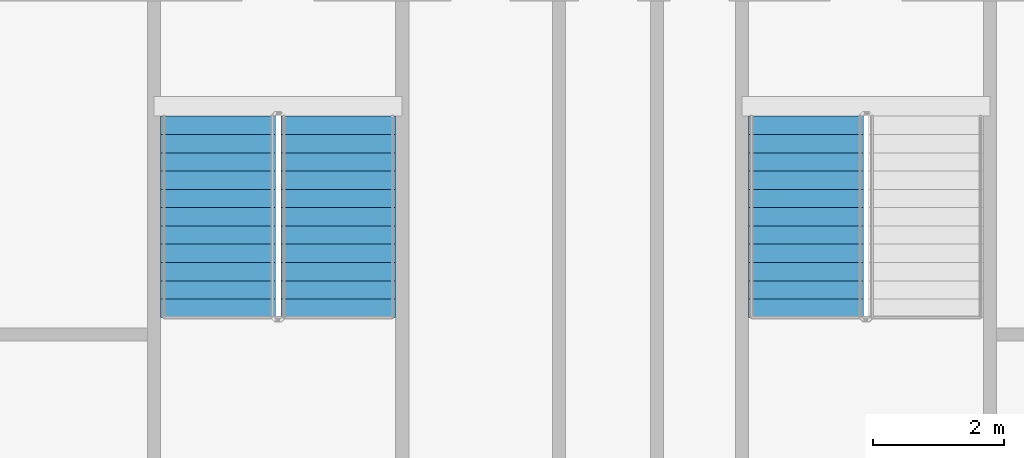
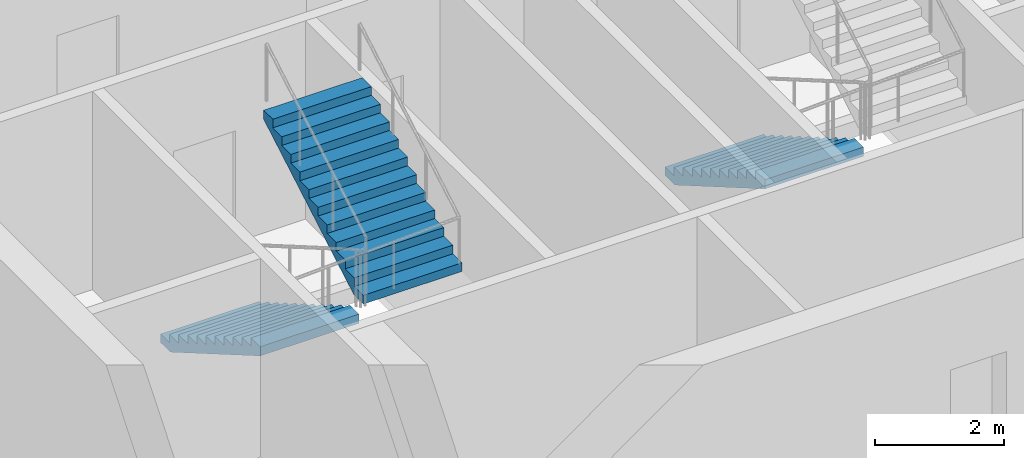
# One storey, part 8 of 15: 3 stair flights, 2 elements without a shape of their own.
"""IFC4 building model written with IfcOpenShell, lengths in metres."""

import ifcopenshell
import ifcopenshell.guid

model = None  # the IFC model being written
_history = None  # IfcOwnerHistory: only IFC2X3 demands one
_inside = {}  # id of a spatial element -> (the spatial element, [elements in it])
_under = {}  # id of a project, library or spatial element -> (it, [spatial elements below it])
_declared = {}  # id of a project -> (the project, [libraries it declares])
_typed = {}  # id of a type object -> (the type object, [elements of that type])
_made_of = {}  # id of a material, layer set ... -> (it, [elements and type objects made of it])


def new_model(schema):
    """Start an empty IFC model of exactly this schema.

    Asked for "IFC4X3", IfcOpenShell would pick the latest addendum, in which some entities
    have other attributes; the version numbers below select the first issue.
    IFC2X3 requires an IfcOwnerHistory on every rooted entity: one is made here for all.
    """
    global model, _history
    if schema == "IFC4X3":
        model = ifcopenshell.file(schema_version=(4, 3, 0, 0))
    else:
        model = ifcopenshell.file(schema=schema)
    _inside.clear()
    _under.clear()
    _declared.clear()
    _typed.clear()
    _made_of.clear()
    _history = None
    if model.schema == "IFC2X3":
        org = make("IfcOrganization", Name="unknown")
        user = make(
            "IfcPersonAndOrganization",
            ThePerson=make("IfcPerson", FamilyName="unknown"),
            TheOrganization=org,
        )
        app = make(
            "IfcApplication",
            ApplicationDeveloper=org,
            Version="unknown",
            ApplicationFullName="unknown",
            ApplicationIdentifier="unknown",
        )
        _history = make(
            "IfcOwnerHistory",
            OwningUser=user,
            OwningApplication=app,
            ChangeAction="ADDED",
            CreationDate=0,
        )
    return model


def make(cls, **values):
    """One entity of the class cls with the attributes given. An attribute that is None is left unset."""
    return model.create_entity(
        cls, **{name: value for name, value in values.items() if value is not None}
    )


def rooted(cls, **values):
    """An entity with a GlobalId (a new one), such as an element, a storey or a relation."""
    return make(cls, GlobalId=ifcopenshell.guid.new(), OwnerHistory=_history, **values)


def si_unit(unit_type, name, prefix=None):
    """IfcSIUnit, for example si_unit("LENGTHUNIT", "METRE", prefix="MILLI")."""
    return make("IfcSIUnit", UnitType=unit_type, Prefix=prefix, Name=name)


def assignment(units):
    """IfcUnitAssignment: the units of a project."""
    return None if units is None else make("IfcUnitAssignment", Units=units)


def point(xyz):
    """IfcCartesianPoint."""
    return None if xyz is None else make("IfcCartesianPoint", Coordinates=xyz)


def direction(xyz):
    """IfcDirection."""
    return None if xyz is None else make("IfcDirection", DirectionRatios=xyz)


def frame(location, z_axis=None, x_axis=None):
    """IfcAxis2Placement3D, a coordinate frame: its origin and axes. An axis left out is left unset."""
    return make(
        "IfcAxis2Placement3D",
        Location=point(location),
        Axis=direction(z_axis),
        RefDirection=direction(x_axis),
    )


def origin():
    """The frame at (0, 0, 0) with its axes left unset."""
    return frame((0.0, 0.0, 0.0))


def place(relative_to, where):
    """IfcLocalPlacement: puts the frame where relative to a parent placement (None: the world)."""
    return make(
        "IfcLocalPlacement", PlacementRelTo=relative_to, RelativePlacement=where
    )


def context(
    kind, dimensions, precision=None, world=None, true_north=None, identifier=None
):
    """IfcGeometricRepresentationContext, for example the 3D "Model" context."""
    return make(
        "IfcGeometricRepresentationContext",
        ContextIdentifier=identifier,
        ContextType=kind,
        CoordinateSpaceDimension=dimensions,
        Precision=precision,
        WorldCoordinateSystem=world,
        TrueNorth=true_north,
    )


def subcontext(parent, identifier, kind, view, scale=None):
    """IfcGeometricRepresentationSubContext, for example "Body" below "Model"."""
    return make(
        "IfcGeometricRepresentationSubContext",
        ContextIdentifier=identifier,
        ContextType=kind,
        ParentContext=parent,
        TargetScale=scale,
        TargetView=view,
    )


def project(units=None, contexts=None):
    """IfcProject with its units and contexts."""
    return rooted(
        "IfcProject",
        Name="project",
        RepresentationContexts=contexts,
        UnitsInContext=assignment(units),
    )


def spatial(cls, under=None, at=None, **own):
    """A site, building, storey or space (cls), placed at a placement, below another one or the project."""
    s = rooted(cls, ObjectPlacement=at, **own)
    if under is not None:
        _under.setdefault(under.id(), (under, []))[1].append(s)
    return s


def faces_of(points, faces, orient=None, outer=None):
    """IfcFace entities. A face is a list of loops; a loop is a list of indices into points, from 0.

    orient and outer hold one flag for each loop. By default every Orientation is true, the
    first loop of a face is its IfcFaceOuterBound and the others are IfcFaceBound.
    """
    made = []
    for i, loops in enumerate(faces):
        bounds = []
        for j, loop in enumerate(loops):
            is_outer = j == 0 if outer is None else outer[i][j]
            bounds.append(
                make(
                    "IfcFaceOuterBound" if is_outer else "IfcFaceBound",
                    Bound=make("IfcPolyLoop", Polygon=[points[k] for k in loop]),
                    Orientation=True if orient is None else orient[i][j],
                )
            )
        made.append(make("IfcFace", Bounds=bounds))
    return made


def faceted_brep(points, faces, orient=None, outer=None, voids=None):
    """IfcFacetedBrep: a solid bounded by flat faces; with voids (closed shells), ...WithVoids."""
    shared = [point(p) for p in points]
    hull = make("IfcClosedShell", CfsFaces=faces_of(shared, faces, orient, outer))
    if voids is None:
        return make("IfcFacetedBrep", Outer=hull)
    return make(
        "IfcFacetedBrepWithVoids",
        Outer=hull,
        Voids=[
            make(cls, CfsFaces=faces_of(shared, fs, o, b)) for cls, fs, o, b in voids
        ],
    )


def shape(context_of_items, identifier, shape_type, items):
    """IfcShapeRepresentation: the items that make up one representation, for example the "Body"."""
    return make(
        "IfcShapeRepresentation",
        ContextOfItems=context_of_items,
        RepresentationIdentifier=identifier,
        RepresentationType=shape_type,
        Items=items,
    )


def material(Name=None, Category=None):
    """IfcMaterial."""
    return make("IfcMaterial", Name=Name, Category=Category)


def made_of(thing, what):
    """Note that an element or type object is made of a material, layer set ...; save() writes the relation."""
    if what is not None:
        _made_of.setdefault(what.id(), (what, []))[1].append(thing)
    return thing


def type_object(cls, material=None, **own):
    """A type object (cls), such as IfcWallType, which elements share."""
    return made_of(rooted(cls, **own), material)


def element(
    cls,
    number,
    at=None,
    inside=None,
    cuts=None,
    type_object=None,
    material=None,
    context=None,
    identifier="Body",
    shape_type=None,
    held_by="IfcProductDefinitionShape",
    body=None,
    shapes=None,
    **own,
):
    """One element of the class cls, such as IfcWall. Its Tag is "e" and its number.

    at: its placement. inside: the storey or other place that contains it. cuts: it is an
    opening in that element (IfcRelVoidsElement). A single representation is given by context,
    identifier, shape_type and body (its items); several are given by shapes. held_by: the class
    of the entity that holds the representations. save() writes the other relations.
    """
    e = rooted(cls, Tag="e%d" % number, ObjectPlacement=at, **own)
    if body is not None:
        shapes = [shape(context, identifier, shape_type, body)]
    if shapes is not None:
        e.Representation = make(held_by, Representations=shapes)
    if inside is not None:
        _inside.setdefault(inside.id(), (inside, []))[1].append(e)
    if cuts is not None:
        rooted(
            "IfcRelVoidsElement", RelatingBuildingElement=cuts, RelatedOpeningElement=e
        )
    if type_object is not None:
        _typed.setdefault(type_object.id(), (type_object, []))[1].append(e)
    return made_of(e, material)


def aggregate(whole, parts):
    """IfcRelAggregates: a whole, such as a stair, and the parts it consists of."""
    return rooted("IfcRelAggregates", RelatingObject=whole, RelatedObjects=parts)


def save(model, path):
    """Write the relations noted so far, then the file.

    IfcRelAggregates (storeys below a building ...), IfcRelContainedInSpatialStructure (elements
    in a storey), IfcRelDefinesByType, IfcRelAssociatesMaterial and IfcRelDeclares: one each for
    every whole, place, type object, material and project.
    """
    for whole, parts in _under.values():
        aggregate(whole, parts)
    for where, things in _inside.values():
        rooted(
            "IfcRelContainedInSpatialStructure",
            RelatedElements=things,
            RelatingStructure=where,
        )
    for kind, things in _typed.values():
        rooted("IfcRelDefinesByType", RelatedObjects=things, RelatingType=kind)
    for what, things in _made_of.values():
        rooted("IfcRelAssociatesMaterial", RelatedObjects=things, RelatingMaterial=what)
    for by, libraries in _declared.values():
        rooted("IfcRelDeclares", RelatingContext=by, RelatedDefinitions=libraries)
    model.write(path)


model = new_model("IFC4")

# Units and contexts
model_context = context("Model", 3, precision=1e-05, world=origin(), true_north=direction((0.0, 1.0)))
body_context = subcontext(model_context, "Body", "Model", "MODEL_VIEW")
ifc_project = project(units=[si_unit("LENGTHUNIT", "METRE"), si_unit("AREAUNIT", "SQUARE_METRE"), si_unit("VOLUMEUNIT", "CUBIC_METRE"), si_unit("PLANEANGLEUNIT", "RADIAN"), si_unit("MASSUNIT", "GRAM", prefix="KILO")], contexts=[model_context])

# Site, building, storey
site_placement = place(None, origin())
site = spatial("IfcSite", under=ifc_project, at=site_placement, CompositionType="ELEMENT")
building_placement = place(site_placement, origin())
building = spatial("IfcBuilding", under=site, at=building_placement, Name="Tarsis Ring Headquarters", CompositionType="ELEMENT")
storey_placement = place(building_placement, frame((0.0, 0.0, 327.5)))
storey = spatial("IfcBuildingStorey", under=building, at=storey_placement, Name="L77", CompositionType="ELEMENT", Elevation=327.5)

# Stair, stair flights
ifc_material_1 = material(Name="Core stair 1760")
stair_type = type_object("IfcStairType", Name="Core stair 1760", PredefinedType="HALF_TURN_STAIR", material=ifc_material_1)
stair_1_placement = place(storey_placement, origin())
stair_1 = element("IfcStair", 1, at=stair_1_placement, inside=storey, type_object=stair_type, Name="L77 Exit stair C", PredefinedType="HALF_TURN_STAIR")
ifc_material_2 = material(Name="Concrete C40/50", Category="concrete")
stair_flight_type = type_object("IfcStairFlightType", Name="Core stair flight 1760", PredefinedType="STRAIGHT", material=ifc_material_2)
stair_flight_1_placement = place(storey_placement, frame((-5.419921875, -3.659912109375, 0.0), z_axis=(0.0, 0.0, 1.0), x_axis=(0.0, -1.0, 0.0)))
stair_flight_1 = element("IfcStairFlight", 2, at=stair_flight_1_placement, type_object=stair_flight_type, Name="Stair ST3 flight 1", NumberOfRisers=12, NumberOfTreads=11, PredefinedType="STRAIGHT", RiserHeight=0.1625, TreadLength=0.28, context=body_context, shape_type="Brep", body=[
    faceted_brep([(0.0, 0.8798828125, 0.0), (0.0, 0.8798828125, 0.16259765625), (0.280029296875, 0.8798828125, 0.16259765625), (0.280029296875, 0.8798828125, 0.324951171875), (0.56005859375, 0.8798828125, 0.324951171875), (0.56005859375, 0.8798828125, 0.487548828125), (0.840087890625, 0.8798828125, 0.487548828125), (0.840087890625, 0.8798828125, 0.64990234375), (1.1201171875, 0.8798828125, 0.64990234375), (1.1201171875, 0.8798828125, 0.8125), (1.39990234375, 0.8798828125, 0.8125), (1.39990234375, 0.8798828125, 0.97509765625), (1.679931640625, 0.8798828125, 0.97509765625), (1.679931640625, 0.8798828125, 1.137451171875), (1.9599609375, 0.8798828125, 1.137451171875), (1.9599609375, 0.8798828125, 1.300048828125), (2.239990234375, 0.8798828125, 1.300048828125), (2.239990234375, 0.8798828125, 1.46240234375), (2.52001953125, 0.8798828125, 1.46240234375), (2.52001953125, 0.8798828125, 1.625), (2.800048828125, 0.8798828125, 1.625), (2.800048828125, 0.8798828125, 1.78759765625), (3.080078125, 0.8798828125, 1.78759765625), (3.080078125, 0.8798828125, 1.6142578125), (0.298583984375, 0.8798828125, 0.0), (0.298583984375, -0.8798828125, 0.0), (3.080078125, -0.8798828125, 1.6142578125), (3.080078125, -0.8798828125, 1.78759765625), (2.800048828125, -0.8798828125, 1.78759765625), (2.800048828125, -0.8798828125, 1.625), (2.52001953125, -0.8798828125, 1.625), (2.52001953125, -0.8798828125, 1.46240234375), (2.239990234375, -0.8798828125, 1.46240234375), (2.239990234375, -0.8798828125, 1.300048828125), (1.9599609375, -0.8798828125, 1.300048828125), (1.9599609375, -0.8798828125, 1.137451171875), (1.679931640625, -0.8798828125, 1.137451171875), (1.679931640625, -0.8798828125, 0.97509765625), (1.39990234375, -0.8798828125, 0.97509765625), (1.39990234375, -0.8798828125, 0.8125), (1.1201171875, -0.8798828125, 0.8125), (1.1201171875, -0.8798828125, 0.64990234375), (0.840087890625, -0.8798828125, 0.64990234375), (0.840087890625, -0.8798828125, 0.487548828125), (0.56005859375, -0.8798828125, 0.487548828125), (0.56005859375, -0.8798828125, 0.324951171875), (0.280029296875, -0.8798828125, 0.324951171875), (0.280029296875, -0.8798828125, 0.16259765625), (0.0, -0.8798828125, 0.16259765625), (0.0, -0.8798828125, 0.0), (0.0, -0.43994140625, 0.16259765625), (0.0, -0.43994140625, 0.0), (0.0, 0.0, 0.16259765625), (0.0, 0.0, 0.0), (0.0, 0.43994140625, 0.16259765625), (0.0, 0.43994140625, 0.0), (0.280029296875, -0.43994140625, 0.16259765625), (0.280029296875, 0.0, 0.16259765625), (0.280029296875, 0.43994140625, 0.16259765625), (0.280029296875, -0.43994140625, 0.324951171875), (0.280029296875, 0.0, 0.324951171875), (0.280029296875, 0.43994140625, 0.324951171875), (0.56005859375, -0.43994140625, 0.324951171875), (0.56005859375, 0.0, 0.324951171875), (0.56005859375, 0.43994140625, 0.324951171875), (0.56005859375, -0.43994140625, 0.487548828125), (0.56005859375, 0.0, 0.487548828125), (0.56005859375, 0.43994140625, 0.487548828125), (0.840087890625, -0.43994140625, 0.487548828125), (0.840087890625, 0.0, 0.487548828125), (0.840087890625, 0.43994140625, 0.487548828125), (0.840087890625, -0.43994140625, 0.64990234375), (0.840087890625, 0.0, 0.64990234375), (0.840087890625, 0.43994140625, 0.64990234375), (1.1201171875, -0.43994140625, 0.64990234375), (1.1201171875, 0.0, 0.64990234375), (1.1201171875, 0.43994140625, 0.64990234375), (1.1201171875, -0.43994140625, 0.8125), (1.1201171875, 0.0, 0.8125), (1.1201171875, 0.43994140625, 0.8125), (1.39990234375, -0.43994140625, 0.8125), (1.39990234375, 0.0, 0.8125), (1.39990234375, 0.43994140625, 0.8125), (1.39990234375, -0.43994140625, 0.97509765625), (1.39990234375, 0.0, 0.97509765625), (1.39990234375, 0.43994140625, 0.97509765625), (1.679931640625, -0.43994140625, 0.97509765625), (1.679931640625, 0.0, 0.97509765625), (1.679931640625, 0.43994140625, 0.97509765625), (1.679931640625, -0.43994140625, 1.137451171875), (1.679931640625, 0.0, 1.137451171875), (1.679931640625, 0.43994140625, 1.137451171875), (1.9599609375, -0.43994140625, 1.137451171875), (1.9599609375, 0.0, 1.137451171875), (1.9599609375, 0.43994140625, 1.137451171875), (1.9599609375, -0.43994140625, 1.300048828125), (1.9599609375, 0.0, 1.300048828125), (1.9599609375, 0.43994140625, 1.300048828125), (2.239990234375, -0.43994140625, 1.300048828125), (2.239990234375, 0.0, 1.300048828125), (2.239990234375, 0.43994140625, 1.300048828125), (2.239990234375, -0.43994140625, 1.46240234375), (2.239990234375, 0.0, 1.46240234375), (2.239990234375, 0.43994140625, 1.46240234375), (2.52001953125, -0.43994140625, 1.46240234375), (2.52001953125, 0.0, 1.46240234375), (2.52001953125, 0.43994140625, 1.46240234375), (2.52001953125, -0.43994140625, 1.625), (2.52001953125, 0.0, 1.625), (2.52001953125, 0.43994140625, 1.625), (2.800048828125, -0.43994140625, 1.625), (2.800048828125, 0.0, 1.625), (2.800048828125, 0.43994140625, 1.625), (2.800048828125, -0.43994140625, 1.78759765625), (2.800048828125, 0.0, 1.78759765625), (2.800048828125, 0.43994140625, 1.78759765625), (3.080078125, -0.43994140625, 1.78759765625), (3.080078125, 0.0, 1.78759765625), (3.080078125, 0.43994140625, 1.78759765625), (3.080078125, -0.43994140625, 1.6142578125), (3.080078125, 0.0, 1.6142578125), (3.080078125, 0.43994140625, 1.6142578125), (0.298583984375, -0.43994140625, 0.0), (0.298583984375, 0.0, 0.0), (0.298583984375, 0.43994140625, 0.0)], [[[0, 1, 2, 3, 4, 5, 6, 7, 8, 9, 10, 11, 12, 13, 14, 15, 16, 17, 18, 19, 20, 21, 22, 23, 24]], [[25, 26, 27, 28, 29, 30, 31, 32, 33, 34, 35, 36, 37, 38, 39, 40, 41, 42, 43, 44, 45, 46, 47, 48, 49]], [[49, 48, 50, 51]], [[51, 50, 52, 53]], [[53, 52, 54, 55]], [[55, 54, 1, 0]], [[48, 47, 56, 50]], [[50, 56, 57, 52]], [[52, 57, 58, 54]], [[54, 58, 2, 1]], [[47, 46, 59, 56]], [[56, 59, 60, 57]], [[57, 60, 61, 58]], [[58, 61, 3, 2]], [[46, 45, 62, 59]], [[59, 62, 63, 60]], [[60, 63, 64, 61]], [[61, 64, 4, 3]], [[45, 44, 65, 62]], [[62, 65, 66, 63]], [[63, 66, 67, 64]], [[64, 67, 5, 4]], [[44, 43, 68, 65]], [[65, 68, 69, 66]], [[66, 69, 70, 67]], [[67, 70, 6, 5]], [[43, 42, 71, 68]], [[68, 71, 72, 69]], [[69, 72, 73, 70]], [[70, 73, 7, 6]], [[42, 41, 74, 71]], [[71, 74, 75, 72]], [[72, 75, 76, 73]], [[73, 76, 8, 7]], [[41, 40, 77, 74]], [[74, 77, 78, 75]], [[75, 78, 79, 76]], [[76, 79, 9, 8]], [[40, 39, 80, 77]], [[77, 80, 81, 78]], [[78, 81, 82, 79]], [[79, 82, 10, 9]], [[39, 38, 83, 80]], [[80, 83, 84, 81]], [[81, 84, 85, 82]], [[82, 85, 11, 10]], [[38, 37, 86, 83]], [[83, 86, 87, 84]], [[84, 87, 88, 85]], [[85, 88, 12, 11]], [[37, 36, 89, 86]], [[86, 89, 90, 87]], [[87, 90, 91, 88]], [[88, 91, 13, 12]], [[36, 35, 92, 89]], [[89, 92, 93, 90]], [[90, 93, 94, 91]], [[91, 94, 14, 13]], [[35, 34, 95, 92]], [[92, 95, 96, 93]], [[93, 96, 97, 94]], [[94, 97, 15, 14]], [[34, 33, 98, 95]], [[95, 98, 99, 96]], [[96, 99, 100, 97]], [[97, 100, 16, 15]], [[33, 32, 101, 98]], [[98, 101, 102, 99]], [[99, 102, 103, 100]], [[100, 103, 17, 16]], [[32, 31, 104, 101]], [[101, 104, 105, 102]], [[102, 105, 106, 103]], [[103, 106, 18, 17]], [[31, 30, 107, 104]], [[104, 107, 108, 105]], [[105, 108, 109, 106]], [[106, 109, 19, 18]], [[30, 29, 110, 107]], [[107, 110, 111, 108]], [[108, 111, 112, 109]], [[109, 112, 20, 19]], [[29, 28, 113, 110]], [[110, 113, 114, 111]], [[111, 114, 115, 112]], [[112, 115, 21, 20]], [[28, 27, 116, 113]], [[113, 116, 117, 114]], [[114, 117, 118, 115]], [[115, 118, 22, 21]], [[27, 26, 119, 116]], [[116, 119, 120, 117]], [[117, 120, 121, 118]], [[118, 121, 23, 22]], [[26, 25, 122, 119]], [[119, 122, 123, 120]], [[120, 123, 124, 121]], [[121, 124, 24, 23]], [[25, 49, 51, 122]], [[122, 51, 53, 123]], [[123, 53, 55, 124]], [[124, 55, 0, 24]]]),
])
stair_flight_2_placement = place(storey_placement, frame((-3.580078125, -6.739990234375, 1.949951171875), z_axis=(0.0, 0.0, 1.0), x_axis=(0.0, 1.0, 0.0)))
stair_flight_2 = element("IfcStairFlight", 3, at=stair_flight_2_placement, type_object=stair_flight_type, Name="Stair ST3 flight 2", NumberOfRisers=12, NumberOfTreads=11, PredefinedType="STRAIGHT", RiserHeight=0.1625, TreadLength=0.28, context=body_context, shape_type="Brep", body=[
    faceted_brep([(0.0, 0.8798828125, 0.0), (0.0, 0.8798828125, 0.16259765625), (0.280029296875, 0.8798828125, 0.16259765625), (0.280029296875, 0.8798828125, 0.324951171875), (0.56005859375, 0.8798828125, 0.324951171875), (0.56005859375, 0.8798828125, 0.487548828125), (0.840087890625, 0.8798828125, 0.487548828125), (0.840087890625, 0.8798828125, 0.64990234375), (1.1201171875, 0.8798828125, 0.64990234375), (1.1201171875, 0.8798828125, 0.8125), (1.39990234375, 0.8798828125, 0.8125), (1.39990234375, 0.8798828125, 0.97509765625), (1.679931640625, 0.8798828125, 0.97509765625), (1.679931640625, 0.8798828125, 1.137451171875), (1.9599609375, 0.8798828125, 1.137451171875), (1.9599609375, 0.8798828125, 1.300048828125), (2.239990234375, 0.8798828125, 1.300048828125), (2.239990234375, 0.8798828125, 1.46240234375), (2.52001953125, 0.8798828125, 1.46240234375), (2.52001953125, 0.8798828125, 1.625), (2.800048828125, 0.8798828125, 1.625), (2.800048828125, 0.8798828125, 1.78759765625), (3.080078125, 0.8798828125, 1.78759765625), (3.080078125, 0.8798828125, 1.6142578125), (0.298583984375, 0.8798828125, 0.0), (0.298583984375, -0.8798828125, 0.0), (3.080078125, -0.8798828125, 1.6142578125), (3.080078125, -0.8798828125, 1.78759765625), (2.800048828125, -0.8798828125, 1.78759765625), (2.800048828125, -0.8798828125, 1.625), (2.52001953125, -0.8798828125, 1.625), (2.52001953125, -0.8798828125, 1.46240234375), (2.239990234375, -0.8798828125, 1.46240234375), (2.239990234375, -0.8798828125, 1.300048828125), (1.9599609375, -0.8798828125, 1.300048828125), (1.9599609375, -0.8798828125, 1.137451171875), (1.679931640625, -0.8798828125, 1.137451171875), (1.679931640625, -0.8798828125, 0.97509765625), (1.39990234375, -0.8798828125, 0.97509765625), (1.39990234375, -0.8798828125, 0.8125), (1.1201171875, -0.8798828125, 0.8125), (1.1201171875, -0.8798828125, 0.64990234375), (0.840087890625, -0.8798828125, 0.64990234375), (0.840087890625, -0.8798828125, 0.487548828125), (0.56005859375, -0.8798828125, 0.487548828125), (0.56005859375, -0.8798828125, 0.324951171875), (0.280029296875, -0.8798828125, 0.324951171875), (0.280029296875, -0.8798828125, 0.16259765625), (0.0, -0.8798828125, 0.16259765625), (0.0, -0.8798828125, 0.0), (0.0, -0.43994140625, 0.16259765625), (0.0, -0.43994140625, 0.0), (0.0, 0.0, 0.16259765625), (0.0, 0.0, 0.0), (0.0, 0.43994140625, 0.16259765625), (0.0, 0.43994140625, 0.0), (0.280029296875, -0.43994140625, 0.16259765625), (0.280029296875, 0.0, 0.16259765625), (0.280029296875, 0.43994140625, 0.16259765625), (0.280029296875, -0.43994140625, 0.324951171875), (0.280029296875, 0.0, 0.324951171875), (0.280029296875, 0.43994140625, 0.324951171875), (0.56005859375, -0.43994140625, 0.324951171875), (0.56005859375, 0.0, 0.324951171875), (0.56005859375, 0.43994140625, 0.324951171875), (0.56005859375, -0.43994140625, 0.487548828125), (0.56005859375, 0.0, 0.487548828125), (0.56005859375, 0.43994140625, 0.487548828125), (0.840087890625, -0.43994140625, 0.487548828125), (0.840087890625, 0.0, 0.487548828125), (0.840087890625, 0.43994140625, 0.487548828125), (0.840087890625, -0.43994140625, 0.64990234375), (0.840087890625, 0.0, 0.64990234375), (0.840087890625, 0.43994140625, 0.64990234375), (1.1201171875, -0.43994140625, 0.64990234375), (1.1201171875, 0.0, 0.64990234375), (1.1201171875, 0.43994140625, 0.64990234375), (1.1201171875, -0.43994140625, 0.8125), (1.1201171875, 0.0, 0.8125), (1.1201171875, 0.43994140625, 0.8125), (1.39990234375, -0.43994140625, 0.8125), (1.39990234375, 0.0, 0.8125), (1.39990234375, 0.43994140625, 0.8125), (1.39990234375, -0.43994140625, 0.97509765625), (1.39990234375, 0.0, 0.97509765625), (1.39990234375, 0.43994140625, 0.97509765625), (1.679931640625, -0.43994140625, 0.97509765625), (1.679931640625, 0.0, 0.97509765625), (1.679931640625, 0.43994140625, 0.97509765625), (1.679931640625, -0.43994140625, 1.137451171875), (1.679931640625, 0.0, 1.137451171875), (1.679931640625, 0.43994140625, 1.137451171875), (1.9599609375, -0.43994140625, 1.137451171875), (1.9599609375, 0.0, 1.137451171875), (1.9599609375, 0.43994140625, 1.137451171875), (1.9599609375, -0.43994140625, 1.300048828125), (1.9599609375, 0.0, 1.300048828125), (1.9599609375, 0.43994140625, 1.300048828125), (2.239990234375, -0.43994140625, 1.300048828125), (2.239990234375, 0.0, 1.300048828125), (2.239990234375, 0.43994140625, 1.300048828125), (2.239990234375, -0.43994140625, 1.46240234375), (2.239990234375, 0.0, 1.46240234375), (2.239990234375, 0.43994140625, 1.46240234375), (2.52001953125, -0.43994140625, 1.46240234375), (2.52001953125, 0.0, 1.46240234375), (2.52001953125, 0.43994140625, 1.46240234375), (2.52001953125, -0.43994140625, 1.625), (2.52001953125, 0.0, 1.625), (2.52001953125, 0.43994140625, 1.625), (2.800048828125, -0.43994140625, 1.625), (2.800048828125, 0.0, 1.625), (2.800048828125, 0.43994140625, 1.625), (2.800048828125, -0.43994140625, 1.78759765625), (2.800048828125, 0.0, 1.78759765625), (2.800048828125, 0.43994140625, 1.78759765625), (3.080078125, -0.43994140625, 1.78759765625), (3.080078125, 0.0, 1.78759765625), (3.080078125, 0.43994140625, 1.78759765625), (3.080078125, -0.43994140625, 1.6142578125), (3.080078125, 0.0, 1.6142578125), (3.080078125, 0.43994140625, 1.6142578125), (0.298583984375, -0.43994140625, 0.0), (0.298583984375, 0.0, 0.0), (0.298583984375, 0.43994140625, 0.0)], [[[0, 1, 2, 3, 4, 5, 6, 7, 8, 9, 10, 11, 12, 13, 14, 15, 16, 17, 18, 19, 20, 21, 22, 23, 24]], [[25, 26, 27, 28, 29, 30, 31, 32, 33, 34, 35, 36, 37, 38, 39, 40, 41, 42, 43, 44, 45, 46, 47, 48, 49]], [[49, 48, 50, 51]], [[51, 50, 52, 53]], [[53, 52, 54, 55]], [[55, 54, 1, 0]], [[48, 47, 56, 50]], [[50, 56, 57, 52]], [[52, 57, 58, 54]], [[54, 58, 2, 1]], [[47, 46, 59, 56]], [[56, 59, 60, 57]], [[57, 60, 61, 58]], [[58, 61, 3, 2]], [[46, 45, 62, 59]], [[59, 62, 63, 60]], [[60, 63, 64, 61]], [[61, 64, 4, 3]], [[45, 44, 65, 62]], [[62, 65, 66, 63]], [[63, 66, 67, 64]], [[64, 67, 5, 4]], [[44, 43, 68, 65]], [[65, 68, 69, 66]], [[66, 69, 70, 67]], [[67, 70, 6, 5]], [[43, 42, 71, 68]], [[68, 71, 72, 69]], [[69, 72, 73, 70]], [[70, 73, 7, 6]], [[42, 41, 74, 71]], [[71, 74, 75, 72]], [[72, 75, 76, 73]], [[73, 76, 8, 7]], [[41, 40, 77, 74]], [[74, 77, 78, 75]], [[75, 78, 79, 76]], [[76, 79, 9, 8]], [[40, 39, 80, 77]], [[77, 80, 81, 78]], [[78, 81, 82, 79]], [[79, 82, 10, 9]], [[39, 38, 83, 80]], [[80, 83, 84, 81]], [[81, 84, 85, 82]], [[82, 85, 11, 10]], [[38, 37, 86, 83]], [[83, 86, 87, 84]], [[84, 87, 88, 85]], [[85, 88, 12, 11]], [[37, 36, 89, 86]], [[86, 89, 90, 87]], [[87, 90, 91, 88]], [[88, 91, 13, 12]], [[36, 35, 92, 89]], [[89, 92, 93, 90]], [[90, 93, 94, 91]], [[91, 94, 14, 13]], [[35, 34, 95, 92]], [[92, 95, 96, 93]], [[93, 96, 97, 94]], [[94, 97, 15, 14]], [[34, 33, 98, 95]], [[95, 98, 99, 96]], [[96, 99, 100, 97]], [[97, 100, 16, 15]], [[33, 32, 101, 98]], [[98, 101, 102, 99]], [[99, 102, 103, 100]], [[100, 103, 17, 16]], [[32, 31, 104, 101]], [[101, 104, 105, 102]], [[102, 105, 106, 103]], [[103, 106, 18, 17]], [[31, 30, 107, 104]], [[104, 107, 108, 105]], [[105, 108, 109, 106]], [[106, 109, 19, 18]], [[30, 29, 110, 107]], [[107, 110, 111, 108]], [[108, 111, 112, 109]], [[109, 112, 20, 19]], [[29, 28, 113, 110]], [[110, 113, 114, 111]], [[111, 114, 115, 112]], [[112, 115, 21, 20]], [[28, 27, 116, 113]], [[113, 116, 117, 114]], [[114, 117, 118, 115]], [[115, 118, 22, 21]], [[27, 26, 119, 116]], [[116, 119, 120, 117]], [[117, 120, 121, 118]], [[118, 121, 23, 22]], [[26, 25, 122, 119]], [[119, 122, 123, 120]], [[120, 123, 124, 121]], [[121, 124, 24, 23]], [[25, 49, 51, 122]], [[122, 51, 53, 123]], [[123, 53, 55, 124]], [[124, 55, 0, 24]]]),
])
aggregate(stair_1, [stair_flight_1, stair_flight_2])

# Stair, stair flight
stair_2_placement = place(storey_placement, origin())
stair_2 = element("IfcStair", 4, at=stair_2_placement, inside=storey, type_object=stair_type, Name="L77 Exit stair D", PredefinedType="HALF_TURN_STAIR")
stair_flight_3_placement = place(storey_placement, frame((3.580078125, -3.659912109375, 0.0), z_axis=(0.0, 0.0, 1.0), x_axis=(0.0, -1.0, 0.0)))
stair_flight_3 = element("IfcStairFlight", 5, at=stair_flight_3_placement, type_object=stair_flight_type, Name="Stair ST4 flight 1", NumberOfRisers=12, NumberOfTreads=11, PredefinedType="STRAIGHT", RiserHeight=0.1625, TreadLength=0.28, context=body_context, shape_type="Brep", body=[
    faceted_brep([(0.0, 0.8798828125, 0.0), (0.0, 0.8798828125, 0.16259765625), (0.280029296875, 0.8798828125, 0.16259765625), (0.280029296875, 0.8798828125, 0.324951171875), (0.56005859375, 0.8798828125, 0.324951171875), (0.56005859375, 0.8798828125, 0.487548828125), (0.840087890625, 0.8798828125, 0.487548828125), (0.840087890625, 0.8798828125, 0.64990234375), (1.1201171875, 0.8798828125, 0.64990234375), (1.1201171875, 0.8798828125, 0.8125), (1.39990234375, 0.8798828125, 0.8125), (1.39990234375, 0.8798828125, 0.97509765625), (1.679931640625, 0.8798828125, 0.97509765625), (1.679931640625, 0.8798828125, 1.137451171875), (1.9599609375, 0.8798828125, 1.137451171875), (1.9599609375, 0.8798828125, 1.300048828125), (2.239990234375, 0.8798828125, 1.300048828125), (2.239990234375, 0.8798828125, 1.46240234375), (2.52001953125, 0.8798828125, 1.46240234375), (2.52001953125, 0.8798828125, 1.625), (2.800048828125, 0.8798828125, 1.625), (2.800048828125, 0.8798828125, 1.78759765625), (3.080078125, 0.8798828125, 1.78759765625), (3.080078125, 0.8798828125, 1.6142578125), (0.298583984375, 0.8798828125, 0.0), (0.298583984375, -0.8798828125, 0.0), (3.080078125, -0.8798828125, 1.6142578125), (3.080078125, -0.8798828125, 1.78759765625), (2.800048828125, -0.8798828125, 1.78759765625), (2.800048828125, -0.8798828125, 1.625), (2.52001953125, -0.8798828125, 1.625), (2.52001953125, -0.8798828125, 1.46240234375), (2.239990234375, -0.8798828125, 1.46240234375), (2.239990234375, -0.8798828125, 1.300048828125), (1.9599609375, -0.8798828125, 1.300048828125), (1.9599609375, -0.8798828125, 1.137451171875), (1.679931640625, -0.8798828125, 1.137451171875), (1.679931640625, -0.8798828125, 0.97509765625), (1.39990234375, -0.8798828125, 0.97509765625), (1.39990234375, -0.8798828125, 0.8125), (1.1201171875, -0.8798828125, 0.8125), (1.1201171875, -0.8798828125, 0.64990234375), (0.840087890625, -0.8798828125, 0.64990234375), (0.840087890625, -0.8798828125, 0.487548828125), (0.56005859375, -0.8798828125, 0.487548828125), (0.56005859375, -0.8798828125, 0.324951171875), (0.280029296875, -0.8798828125, 0.324951171875), (0.280029296875, -0.8798828125, 0.16259765625), (0.0, -0.8798828125, 0.16259765625), (0.0, -0.8798828125, 0.0), (0.0, -0.43994140625, 0.16259765625), (0.0, -0.43994140625, 0.0), (0.0, 0.0, 0.16259765625), (0.0, 0.0, 0.0), (0.0, 0.43994140625, 0.16259765625), (0.0, 0.43994140625, 0.0), (0.280029296875, -0.43994140625, 0.16259765625), (0.280029296875, 0.0, 0.16259765625), (0.280029296875, 0.43994140625, 0.16259765625), (0.280029296875, -0.43994140625, 0.324951171875), (0.280029296875, 0.0, 0.324951171875), (0.280029296875, 0.43994140625, 0.324951171875), (0.56005859375, -0.43994140625, 0.324951171875), (0.56005859375, 0.0, 0.324951171875), (0.56005859375, 0.43994140625, 0.324951171875), (0.56005859375, -0.43994140625, 0.487548828125), (0.56005859375, 0.0, 0.487548828125), (0.56005859375, 0.43994140625, 0.487548828125), (0.840087890625, -0.43994140625, 0.487548828125), (0.840087890625, 0.0, 0.487548828125), (0.840087890625, 0.43994140625, 0.487548828125), (0.840087890625, -0.43994140625, 0.64990234375), (0.840087890625, 0.0, 0.64990234375), (0.840087890625, 0.43994140625, 0.64990234375), (1.1201171875, -0.43994140625, 0.64990234375), (1.1201171875, 0.0, 0.64990234375), (1.1201171875, 0.43994140625, 0.64990234375), (1.1201171875, -0.43994140625, 0.8125), (1.1201171875, 0.0, 0.8125), (1.1201171875, 0.43994140625, 0.8125), (1.39990234375, -0.43994140625, 0.8125), (1.39990234375, 0.0, 0.8125), (1.39990234375, 0.43994140625, 0.8125), (1.39990234375, -0.43994140625, 0.97509765625), (1.39990234375, 0.0, 0.97509765625), (1.39990234375, 0.43994140625, 0.97509765625), (1.679931640625, -0.43994140625, 0.97509765625), (1.679931640625, 0.0, 0.97509765625), (1.679931640625, 0.43994140625, 0.97509765625), (1.679931640625, -0.43994140625, 1.137451171875), (1.679931640625, 0.0, 1.137451171875), (1.679931640625, 0.43994140625, 1.137451171875), (1.9599609375, -0.43994140625, 1.137451171875), (1.9599609375, 0.0, 1.137451171875), (1.9599609375, 0.43994140625, 1.137451171875), (1.9599609375, -0.43994140625, 1.300048828125), (1.9599609375, 0.0, 1.300048828125), (1.9599609375, 0.43994140625, 1.300048828125), (2.239990234375, -0.43994140625, 1.300048828125), (2.239990234375, 0.0, 1.300048828125), (2.239990234375, 0.43994140625, 1.300048828125), (2.239990234375, -0.43994140625, 1.46240234375), (2.239990234375, 0.0, 1.46240234375), (2.239990234375, 0.43994140625, 1.46240234375), (2.52001953125, -0.43994140625, 1.46240234375), (2.52001953125, 0.0, 1.46240234375), (2.52001953125, 0.43994140625, 1.46240234375), (2.52001953125, -0.43994140625, 1.625), (2.52001953125, 0.0, 1.625), (2.52001953125, 0.43994140625, 1.625), (2.800048828125, -0.43994140625, 1.625), (2.800048828125, 0.0, 1.625), (2.800048828125, 0.43994140625, 1.625), (2.800048828125, -0.43994140625, 1.78759765625), (2.800048828125, 0.0, 1.78759765625), (2.800048828125, 0.43994140625, 1.78759765625), (3.080078125, -0.43994140625, 1.78759765625), (3.080078125, 0.0, 1.78759765625), (3.080078125, 0.43994140625, 1.78759765625), (3.080078125, -0.43994140625, 1.6142578125), (3.080078125, 0.0, 1.6142578125), (3.080078125, 0.43994140625, 1.6142578125), (0.298583984375, -0.43994140625, 0.0), (0.298583984375, 0.0, 0.0), (0.298583984375, 0.43994140625, 0.0)], [[[0, 1, 2, 3, 4, 5, 6, 7, 8, 9, 10, 11, 12, 13, 14, 15, 16, 17, 18, 19, 20, 21, 22, 23, 24]], [[25, 26, 27, 28, 29, 30, 31, 32, 33, 34, 35, 36, 37, 38, 39, 40, 41, 42, 43, 44, 45, 46, 47, 48, 49]], [[49, 48, 50, 51]], [[51, 50, 52, 53]], [[53, 52, 54, 55]], [[55, 54, 1, 0]], [[48, 47, 56, 50]], [[50, 56, 57, 52]], [[52, 57, 58, 54]], [[54, 58, 2, 1]], [[47, 46, 59, 56]], [[56, 59, 60, 57]], [[57, 60, 61, 58]], [[58, 61, 3, 2]], [[46, 45, 62, 59]], [[59, 62, 63, 60]], [[60, 63, 64, 61]], [[61, 64, 4, 3]], [[45, 44, 65, 62]], [[62, 65, 66, 63]], [[63, 66, 67, 64]], [[64, 67, 5, 4]], [[44, 43, 68, 65]], [[65, 68, 69, 66]], [[66, 69, 70, 67]], [[67, 70, 6, 5]], [[43, 42, 71, 68]], [[68, 71, 72, 69]], [[69, 72, 73, 70]], [[70, 73, 7, 6]], [[42, 41, 74, 71]], [[71, 74, 75, 72]], [[72, 75, 76, 73]], [[73, 76, 8, 7]], [[41, 40, 77, 74]], [[74, 77, 78, 75]], [[75, 78, 79, 76]], [[76, 79, 9, 8]], [[40, 39, 80, 77]], [[77, 80, 81, 78]], [[78, 81, 82, 79]], [[79, 82, 10, 9]], [[39, 38, 83, 80]], [[80, 83, 84, 81]], [[81, 84, 85, 82]], [[82, 85, 11, 10]], [[38, 37, 86, 83]], [[83, 86, 87, 84]], [[84, 87, 88, 85]], [[85, 88, 12, 11]], [[37, 36, 89, 86]], [[86, 89, 90, 87]], [[87, 90, 91, 88]], [[88, 91, 13, 12]], [[36, 35, 92, 89]], [[89, 92, 93, 90]], [[90, 93, 94, 91]], [[91, 94, 14, 13]], [[35, 34, 95, 92]], [[92, 95, 96, 93]], [[93, 96, 97, 94]], [[94, 97, 15, 14]], [[34, 33, 98, 95]], [[95, 98, 99, 96]], [[96, 99, 100, 97]], [[97, 100, 16, 15]], [[33, 32, 101, 98]], [[98, 101, 102, 99]], [[99, 102, 103, 100]], [[100, 103, 17, 16]], [[32, 31, 104, 101]], [[101, 104, 105, 102]], [[102, 105, 106, 103]], [[103, 106, 18, 17]], [[31, 30, 107, 104]], [[104, 107, 108, 105]], [[105, 108, 109, 106]], [[106, 109, 19, 18]], [[30, 29, 110, 107]], [[107, 110, 111, 108]], [[108, 111, 112, 109]], [[109, 112, 20, 19]], [[29, 28, 113, 110]], [[110, 113, 114, 111]], [[111, 114, 115, 112]], [[112, 115, 21, 20]], [[28, 27, 116, 113]], [[113, 116, 117, 114]], [[114, 117, 118, 115]], [[115, 118, 22, 21]], [[27, 26, 119, 116]], [[116, 119, 120, 117]], [[117, 120, 121, 118]], [[118, 121, 23, 22]], [[26, 25, 122, 119]], [[119, 122, 123, 120]], [[120, 123, 124, 121]], [[121, 124, 24, 23]], [[25, 49, 51, 122]], [[122, 51, 53, 123]], [[123, 53, 55, 124]], [[124, 55, 0, 24]]]),
])
aggregate(stair_2, [stair_flight_3])

save(model, "model.ifc")
